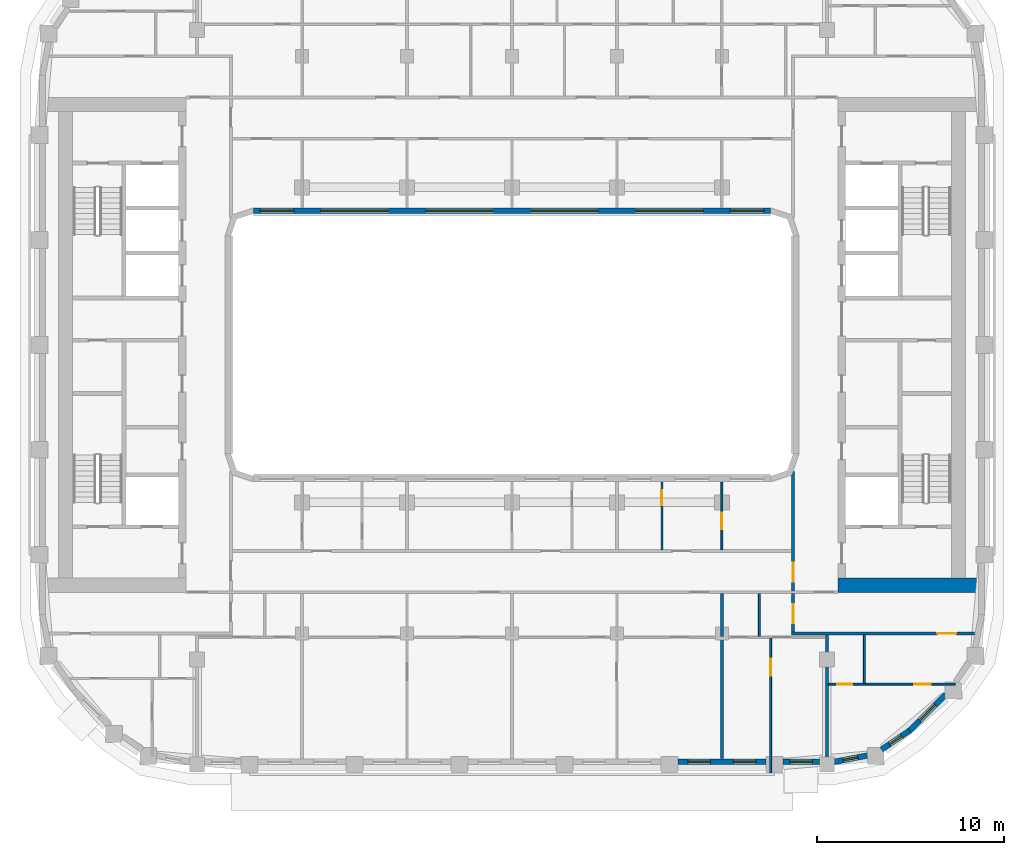
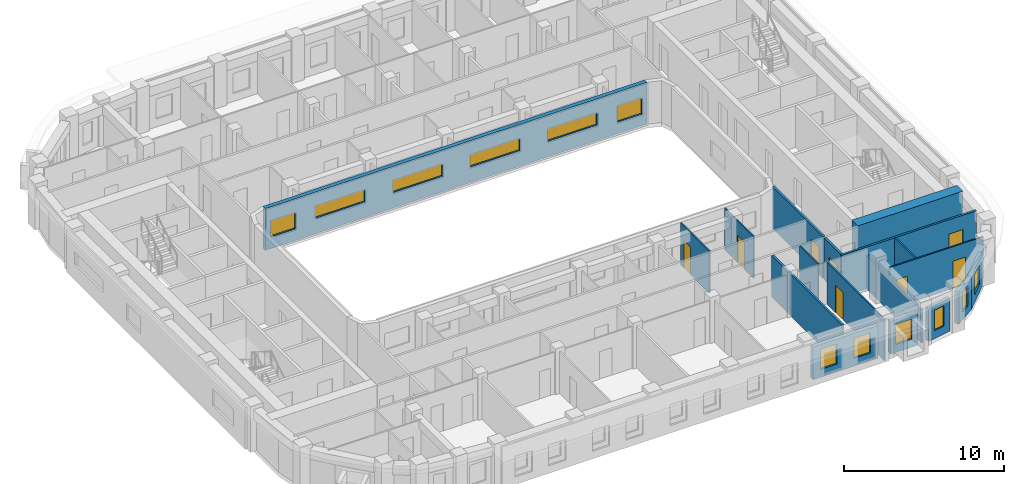
# One storey, part 5 of 21: 19 walls, 12 windows, 8 doors, 20 openings.
"""IFC4 building model written with IfcOpenShell, lengths in metres."""

from ifc_helpers import new_model, si_unit, direction, frame, frame_2d, origin, place, context, subcontext, project, spatial, rectangle, extrude, material, layer, layer_set, type_object, element, fill, save


model = new_model("IFC4")

# Units and contexts
model_context = context("Model", 3, precision=1e-05, world=origin(), true_north=direction((0.0, 1.0)))
body_context = subcontext(model_context, "Body", "Model", "MODEL_VIEW")
ifc_project = project(units=[si_unit("LENGTHUNIT", "METRE"), si_unit("AREAUNIT", "SQUARE_METRE"), si_unit("VOLUMEUNIT", "CUBIC_METRE"), si_unit("PLANEANGLEUNIT", "RADIAN"), si_unit("MASSUNIT", "GRAM", prefix="KILO")], contexts=[model_context])

# Site, building, storey
site_placement = place(None, origin())
site = spatial("IfcSite", under=ifc_project, at=site_placement, CompositionType="ELEMENT")
building_placement = place(site_placement, origin())
building = spatial("IfcBuilding", under=site, at=building_placement, Name="Kiln Ring Residences", CompositionType="ELEMENT")
storey_placement = place(building_placement, frame((0.0, 0.0, 192.39990234375)))
storey = spatial("IfcBuildingStorey", under=building, at=storey_placement, Name="L49", CompositionType="ELEMENT", Elevation=192.39990234375)

# Wall
ifc_material_1 = material(Name="Concrete C60/75", Category="concrete")
ifc_layer_1 = layer(ifc_material_1, 0.75)
ifc_layer_set_1 = layer_set([ifc_layer_1], Name="CORE-WALL-RC750")
wall_type_1 = type_object("IfcWallType", Name="CORE-WALL-RC750", PredefinedType="SHEAR", material=ifc_layer_set_1)
wall_1_placement = place(storey_placement, frame((17.39990234375, -12.824951171875, 0.0), z_axis=(0.0, 0.0, 1.0), x_axis=(1.0, 0.0, 0.0)))
element("IfcWall", 1, at=wall_1_placement, inside=storey, type_object=wall_type_1, Name="Core wall east L49 5", PredefinedType="SHEAR", context=body_context, shape_type="SweptSolid", body=[
    extrude(rectangle(XDim=7.60009765625, YDim=0.75, at=frame_2d((3.800048828125, 0.0))), origin(), (0.0, 0.0, 1.0), 3.2001953125),
])

# Wall, openings, windows
ifc_material_2 = material(Name="Brick masonry, dark clay brick", Category="masonry")
ifc_layer_2 = layer(ifc_material_2, 0.300048828125)
ifc_layer_set_2 = layer_set([ifc_layer_2], Name="EW-300 BRICK WALL")
wall_type_2 = type_object("IfcWallType", Name="EW-300 BRICK WALL", PredefinedType="SOLIDWALL", material=ifc_layer_set_2)
wall_2_placement = place(storey_placement, frame((8.85009765625, -22.25, 0.0), z_axis=(0.0, 0.0, 1.0), x_axis=(1.0, 0.0, 0.0)))
wall_2 = element("IfcWall", 2, at=wall_2_placement, inside=storey, type_object=wall_type_2, Name="Facade wall L49 9", PredefinedType="SOLIDWALL", context=body_context, shape_type="SweptSolid", body=[
    extrude(rectangle(XDim=4.699951171875, YDim=0.300048828125, at=frame_2d((2.35009765625, 0.0))), origin(), (0.0, 0.0, 1.0), 2.5),
])
opening_1_placement = place(wall_2_placement, frame((0.53759765625, 0.0, 0.60009765625)))
opening_1 = element("IfcOpeningElement", 3, at=opening_1_placement, cuts=wall_2, Name="Opening W1", PredefinedType="OPENING", context=body_context, shape_type="SweptSolid", body=[
    extrude(rectangle(XDim=1.199951171875, YDim=1.550048828125, at=frame_2d((0.60009765625, 0.77490234375))), frame((0.0, 0.159912109375, 0.0), z_axis=(0.0, -1.0, 0.0), x_axis=(1.0, 0.0, 0.0)), (0.0, 0.0, 1.0), 0.320068359375),
])
opening_2_placement = place(wall_2_placement, frame((2.96240234375, 0.0, 0.60009765625)))
opening_2 = element("IfcOpeningElement", 4, at=opening_2_placement, cuts=wall_2, Name="Opening W1", PredefinedType="OPENING", context=body_context, shape_type="SweptSolid", body=[
    extrude(rectangle(XDim=1.199951171875, YDim=1.550048828125, at=frame_2d((0.60009765625, 0.77490234375))), frame((0.0, 0.159912109375, 0.0), z_axis=(0.0, -1.0, 0.0), x_axis=(1.0, 0.0, 0.0)), (0.0, 0.0, 1.0), 0.320068359375),
])
ifc_material_3 = material(Name="Aluminium frame with double glazing", Category="aluminium")
window_type_1 = type_object("IfcWindowType", Name="WINDOW 1200 x 1550", PartitioningType="SINGLE_PANEL", PredefinedType="WINDOW", material=ifc_material_3)
window_1_placement = place(opening_1_placement, origin())
window_1 = element("IfcWindow", 5, at=window_1_placement, inside=storey, type_object=window_type_1, Name="Window L49 12", OverallHeight=1.550048828125, OverallWidth=1.199951171875, PartitioningType="SINGLE_PANEL", PredefinedType="WINDOW", context=body_context, shape_type="SweptSolid", body=[
    extrude(rectangle(XDim=1.199951171875, YDim=1.550048828125, at=frame_2d((0.60009765625, 0.77490234375))), frame((0.0, 0.030029296875, 0.0), z_axis=(0.0, -1.0, 0.0), x_axis=(1.0, 0.0, 0.0)), (0.0, 0.0, 1.0), 0.06005859375),
])
fill(opening_1, window_1)
window_2_placement = place(opening_2_placement, origin())
window_2 = element("IfcWindow", 6, at=window_2_placement, inside=storey, type_object=window_type_1, Name="Window L49 13", OverallHeight=1.550048828125, OverallWidth=1.199951171875, PartitioningType="SINGLE_PANEL", PredefinedType="WINDOW", context=body_context, shape_type="SweptSolid", body=[
    extrude(rectangle(XDim=1.199951171875, YDim=1.550048828125, at=frame_2d((0.60009765625, 0.77490234375))), frame((0.0, 0.030029296875, 0.0), z_axis=(0.0, -1.0, 0.0), x_axis=(1.0, 0.0, 0.0)), (0.0, 0.0, 1.0), 0.06005859375),
])
fill(opening_2, window_2)

# Wall, opening, window
wall_3_placement = place(storey_placement, frame((14.449951171875, -22.25, 0.0), z_axis=(0.0, 0.0, 1.0), x_axis=(1.0, 0.0, 0.0)))
wall_3 = element("IfcWall", 7, at=wall_3_placement, inside=storey, type_object=wall_type_2, Name="Facade wall L49 10", PredefinedType="SOLIDWALL", context=body_context, shape_type="SweptSolid", body=[
    extrude(rectangle(XDim=1.949951171875, YDim=0.300048828125, at=frame_2d((0.97509765625, 0.0))), origin(), (0.0, 0.0, 1.0), 2.5),
])
opening_3_placement = place(wall_3_placement, frame((0.375, 0.0, 0.60009765625)))
opening_3 = element("IfcOpeningElement", 8, at=opening_3_placement, cuts=wall_3, Name="Opening W1", PredefinedType="OPENING", context=body_context, shape_type="SweptSolid", body=[
    extrude(rectangle(XDim=1.199951171875, YDim=1.550048828125, at=frame_2d((0.60009765625, 0.77490234375))), frame((0.0, 0.159912109375, 0.0), z_axis=(0.0, -1.0, 0.0), x_axis=(1.0, 0.0, 0.0)), (0.0, 0.0, 1.0), 0.320068359375),
])
window_3_placement = place(opening_3_placement, origin())
window_3 = element("IfcWindow", 9, at=window_3_placement, inside=storey, type_object=window_type_1, Name="Window L49 14", OverallHeight=1.550048828125, OverallWidth=1.199951171875, PartitioningType="SINGLE_PANEL", PredefinedType="WINDOW", context=body_context, shape_type="SweptSolid", body=[
    extrude(rectangle(XDim=1.199951171875, YDim=1.550048828125, at=frame_2d((0.60009765625, 0.77490234375))), frame((0.0, 0.030029296875, 0.0), z_axis=(0.0, -1.0, 0.0), x_axis=(1.0, 0.0, 0.0)), (0.0, 0.0, 1.0), 0.06005859375),
])
fill(opening_3, window_3)

wall_4_placement = place(storey_placement, frame((17.178955078125, -22.251220703125, 0.0), z_axis=(0.0, 0.0, 1.0), x_axis=(0.98230529033, 0.187286722942, 0.0)))
wall_4 = element("IfcWall", 10, at=wall_4_placement, inside=storey, type_object=wall_type_2, Name="Facade wall L49 11", PredefinedType="SOLIDWALL", context=body_context, shape_type="SweptSolid", body=[
    extrude(rectangle(XDim=1.798828125, YDim=0.300048828125, at=frame_2d((0.8994140625, 0.0))), origin(), (0.0, 0.0, 1.0), 2.5),
])
opening_4_placement = place(wall_4_placement, frame((0.49951171875, 0.0, 0.60009765625)))
opening_4 = element("IfcOpeningElement", 11, at=opening_4_placement, cuts=wall_4, Name="Opening W5", PredefinedType="OPENING", context=body_context, shape_type="SweptSolid", body=[
    extrude(rectangle(XDim=0.800048828125, YDim=1.550048828125, at=frame_2d((0.39990234375, 0.77490234375))), frame((0.0, 0.159912109375, 0.0), z_axis=(0.0, -1.0, 0.0), x_axis=(1.0, 0.0, 0.0)), (0.0, 0.0, 1.0), 0.320068359375),
])
ifc_material_4 = material(Name="Aluminium frame with double glazing", Category="aluminium")
window_type_2 = type_object("IfcWindowType", Name="WINDOW 800 x 1550", PartitioningType="SINGLE_PANEL", PredefinedType="WINDOW", material=ifc_material_4)
window_4_placement = place(opening_4_placement, origin())
window_4 = element("IfcWindow", 12, at=window_4_placement, inside=storey, type_object=window_type_2, Name="Window L49 15", OverallHeight=1.550048828125, OverallWidth=0.800048828125, PartitioningType="SINGLE_PANEL", PredefinedType="WINDOW", context=body_context, shape_type="SweptSolid", body=[
    extrude(rectangle(XDim=0.800048828125, YDim=1.550048828125, at=frame_2d((0.39990234375, 0.77490234375))), frame((0.0, 0.030029296875, 0.0), z_axis=(0.0, -1.0, 0.0), x_axis=(1.0, 0.0, 0.0)), (0.0, 0.0, 1.0), 0.06005859375),
])
fill(opening_4, window_4)

wall_5_placement = place(storey_placement, frame((19.718994140625, -21.593994140625, 0.0), z_axis=(0.0, 0.0, 1.0), x_axis=(0.827067282455, 0.562102935673, 0.0)))
wall_5 = element("IfcWall", 13, at=wall_5_placement, inside=storey, type_object=wall_type_2, Name="Facade wall L49 12", PredefinedType="SOLIDWALL", context=body_context, shape_type="SweptSolid", body=[
    extrude(rectangle(XDim=1.805908203125, YDim=0.300048828125, at=frame_2d((0.90283203125, 0.0))), origin(), (0.0, 0.0, 1.0), 2.5),
])
opening_5_placement = place(wall_5_placement, frame((0.5029296875, 0.0, 0.60009765625)))
opening_5 = element("IfcOpeningElement", 14, at=opening_5_placement, cuts=wall_5, Name="Opening W5", PredefinedType="OPENING", context=body_context, shape_type="SweptSolid", body=[
    extrude(rectangle(XDim=0.800048828125, YDim=1.550048828125, at=frame_2d((0.39990234375, 0.77490234375))), frame((0.0, 0.159912109375, 0.0), z_axis=(0.0, -1.0, 0.0), x_axis=(1.0, 0.0, 0.0)), (0.0, 0.0, 1.0), 0.320068359375),
])
window_5_placement = place(opening_5_placement, origin())
window_5 = element("IfcWindow", 15, at=window_5_placement, inside=storey, type_object=window_type_2, Name="Window L49 16", OverallHeight=1.550048828125, OverallWidth=0.800048828125, PartitioningType="SINGLE_PANEL", PredefinedType="WINDOW", context=body_context, shape_type="SweptSolid", body=[
    extrude(rectangle(XDim=0.800048828125, YDim=1.550048828125, at=frame_2d((0.39990234375, 0.77490234375))), frame((0.0, 0.030029296875, 0.0), z_axis=(0.0, -1.0, 0.0), x_axis=(1.0, 0.0, 0.0)), (0.0, 0.0, 1.0), 0.06005859375),
])
fill(opening_5, window_5)

wall_6_placement = place(storey_placement, frame((21.19091796875, -20.596923828125, 0.0), z_axis=(0.0, 0.0, 1.0), x_axis=(0.707106781187, 0.707106781187, 0.0)))
wall_6 = element("IfcWall", 16, at=wall_6_placement, inside=storey, type_object=wall_type_2, Name="Facade wall L49 13", PredefinedType="SOLIDWALL", context=body_context, shape_type="SweptSolid", body=[
    extrude(rectangle(XDim=2.75, YDim=0.300048828125, at=frame_2d((1.375, 0.0))), origin(), (0.0, 0.0, 1.0), 2.5),
])
opening_6_placement = place(wall_6_placement, frame((0.77490234375, 0.0, 0.60009765625)))
opening_6 = element("IfcOpeningElement", 17, at=opening_6_placement, cuts=wall_6, Name="Opening W1", PredefinedType="OPENING", context=body_context, shape_type="SweptSolid", body=[
    extrude(rectangle(XDim=1.199951171875, YDim=1.550048828125, at=frame_2d((0.60009765625, 0.77490234375))), frame((0.0, 0.159912109375, 0.0), z_axis=(0.0, -1.0, 0.0), x_axis=(1.0, 0.0, 0.0)), (0.0, 0.0, 1.0), 0.320068359375),
])
window_6_placement = place(opening_6_placement, origin())
window_6 = element("IfcWindow", 18, at=window_6_placement, inside=storey, type_object=window_type_1, Name="Window L49 17", OverallHeight=1.550048828125, OverallWidth=1.199951171875, PartitioningType="SINGLE_PANEL", PredefinedType="WINDOW", context=body_context, shape_type="SweptSolid", body=[
    extrude(rectangle(XDim=1.199951171875, YDim=1.550048828125, at=frame_2d((0.60009765625, 0.77490234375))), frame((0.0, 0.030029296875, 0.0), z_axis=(0.0, -1.0, 0.0), x_axis=(1.0, 0.0, 0.0)), (0.0, 0.0, 1.0), 0.06005859375),
])
fill(opening_6, window_6)

# Wall, openings, windows
wall_7_placement = place(storey_placement, frame((-13.800048828125, 7.14990234375, 0.0), z_axis=(0.0, 0.0, 1.0), x_axis=(1.0, 0.0, 0.0)))
wall_7 = element("IfcWall", 19, at=wall_7_placement, inside=storey, type_object=wall_type_2, Name="Facade wall L49 48", PredefinedType="SOLIDWALL", context=body_context, shape_type="SweptSolid", body=[
    extrude(rectangle(XDim=27.60009765625, YDim=0.300048828125, at=frame_2d((13.800048828125, 0.0))), origin(), (0.0, 0.0, 1.0), 3.2001953125),
])
opening_7_placement = place(wall_7_placement, frame((0.362548828125, 0.0, 0.89990234375)))
opening_7 = element("IfcOpeningElement", 20, at=opening_7_placement, cuts=wall_7, Name="Opening W2", PredefinedType="OPENING", context=body_context, shape_type="SweptSolid", body=[
    extrude(rectangle(XDim=1.800048828125, YDim=1.25, at=frame_2d((0.89990234375, 0.625))), frame((0.0, 0.159912109375, 0.0), z_axis=(0.0, -1.0, 0.0), x_axis=(1.0, 0.0, 0.0)), (0.0, 0.0, 1.0), 0.320068359375),
])
opening_8_placement = place(wall_7_placement, frame((3.60009765625, 0.0, 1.199951171875)))
opening_8 = element("IfcOpeningElement", 21, at=opening_8_placement, cuts=wall_7, Name="Opening W4", PredefinedType="OPENING", context=body_context, shape_type="SweptSolid", body=[
    extrude(rectangle(XDim=3.60009765625, YDim=0.949951171875, at=frame_2d((1.800048828125, 0.47509765625))), frame((0.0, 0.159912109375, 0.0), z_axis=(0.0, -1.0, 0.0), x_axis=(1.0, 0.0, 0.0)), (0.0, 0.0, 1.0), 0.320068359375),
])
opening_9_placement = place(wall_7_placement, frame((9.199951171875, 0.0, 1.199951171875)))
opening_9 = element("IfcOpeningElement", 22, at=opening_9_placement, cuts=wall_7, Name="Opening W4", PredefinedType="OPENING", context=body_context, shape_type="SweptSolid", body=[
    extrude(rectangle(XDim=3.60009765625, YDim=0.949951171875, at=frame_2d((1.800048828125, 0.47509765625))), frame((0.0, 0.159912109375, 0.0), z_axis=(0.0, -1.0, 0.0), x_axis=(1.0, 0.0, 0.0)), (0.0, 0.0, 1.0), 0.320068359375),
])
opening_10_placement = place(wall_7_placement, frame((14.800048828125, 0.0, 1.199951171875)))
opening_10 = element("IfcOpeningElement", 23, at=opening_10_placement, cuts=wall_7, Name="Opening W4", PredefinedType="OPENING", context=body_context, shape_type="SweptSolid", body=[
    extrude(rectangle(XDim=3.60009765625, YDim=0.949951171875, at=frame_2d((1.800048828125, 0.47509765625))), frame((0.0, 0.159912109375, 0.0), z_axis=(0.0, -1.0, 0.0), x_axis=(1.0, 0.0, 0.0)), (0.0, 0.0, 1.0), 0.320068359375),
])
opening_11_placement = place(wall_7_placement, frame((20.39990234375, 0.0, 1.199951171875)))
opening_11 = element("IfcOpeningElement", 24, at=opening_11_placement, cuts=wall_7, Name="Opening W4", PredefinedType="OPENING", context=body_context, shape_type="SweptSolid", body=[
    extrude(rectangle(XDim=3.60009765625, YDim=0.949951171875, at=frame_2d((1.800048828125, 0.47509765625))), frame((0.0, 0.159912109375, 0.0), z_axis=(0.0, -1.0, 0.0), x_axis=(1.0, 0.0, 0.0)), (0.0, 0.0, 1.0), 0.320068359375),
])
opening_12_placement = place(wall_7_placement, frame((25.4375, 0.0, 0.89990234375)))
opening_12 = element("IfcOpeningElement", 25, at=opening_12_placement, cuts=wall_7, Name="Opening W2", PredefinedType="OPENING", context=body_context, shape_type="SweptSolid", body=[
    extrude(rectangle(XDim=1.800048828125, YDim=1.25, at=frame_2d((0.89990234375, 0.625))), frame((0.0, 0.159912109375, 0.0), z_axis=(0.0, -1.0, 0.0), x_axis=(1.0, 0.0, 0.0)), (0.0, 0.0, 1.0), 0.320068359375),
])
ifc_material_5 = material(Name="Aluminium frame with double glazing", Category="aluminium")
window_type_3 = type_object("IfcWindowType", Name="WINDOW 1800 x 1250", PartitioningType="SINGLE_PANEL", PredefinedType="WINDOW", material=ifc_material_5)
window_7_placement = place(opening_7_placement, origin())
window_7 = element("IfcWindow", 26, at=window_7_placement, inside=storey, type_object=window_type_3, Name="Window L49 35", OverallHeight=1.25, OverallWidth=1.800048828125, PartitioningType="SINGLE_PANEL", PredefinedType="WINDOW", context=body_context, shape_type="SweptSolid", body=[
    extrude(rectangle(XDim=1.800048828125, YDim=1.25, at=frame_2d((0.89990234375, 0.625))), frame((0.0, 0.030029296875, 0.0), z_axis=(0.0, -1.0, 0.0), x_axis=(1.0, 0.0, 0.0)), (0.0, 0.0, 1.0), 0.06005859375),
])
fill(opening_7, window_7)
window_8_placement = place(opening_12_placement, origin())
window_8 = element("IfcWindow", 27, at=window_8_placement, inside=storey, type_object=window_type_3, Name="Window L49 40", OverallHeight=1.25, OverallWidth=1.800048828125, PartitioningType="SINGLE_PANEL", PredefinedType="WINDOW", context=body_context, shape_type="SweptSolid", body=[
    extrude(rectangle(XDim=1.800048828125, YDim=1.25, at=frame_2d((0.89990234375, 0.625))), frame((0.0, 0.030029296875, 0.0), z_axis=(0.0, -1.0, 0.0), x_axis=(1.0, 0.0, 0.0)), (0.0, 0.0, 1.0), 0.06005859375),
])
fill(opening_12, window_8)
ifc_material_6 = material(Name="Aluminium frame with double glazing", Category="aluminium")
window_type_4 = type_object("IfcWindowType", Name="WINDOW 3600 x 950", PartitioningType="SINGLE_PANEL", PredefinedType="WINDOW", material=ifc_material_6)
window_9_placement = place(opening_8_placement, origin())
window_9 = element("IfcWindow", 28, at=window_9_placement, inside=storey, type_object=window_type_4, Name="Window L49 36", OverallHeight=0.949951171875, OverallWidth=3.60009765625, PartitioningType="SINGLE_PANEL", PredefinedType="WINDOW", context=body_context, shape_type="SweptSolid", body=[
    extrude(rectangle(XDim=3.60009765625, YDim=0.949951171875, at=frame_2d((1.800048828125, 0.47509765625))), frame((0.0, 0.030029296875, 0.0), z_axis=(0.0, -1.0, 0.0), x_axis=(1.0, 0.0, 0.0)), (0.0, 0.0, 1.0), 0.06005859375),
])
fill(opening_8, window_9)
window_10_placement = place(opening_9_placement, origin())
window_10 = element("IfcWindow", 29, at=window_10_placement, inside=storey, type_object=window_type_4, Name="Window L49 37", OverallHeight=0.949951171875, OverallWidth=3.60009765625, PartitioningType="SINGLE_PANEL", PredefinedType="WINDOW", context=body_context, shape_type="SweptSolid", body=[
    extrude(rectangle(XDim=3.60009765625, YDim=0.949951171875, at=frame_2d((1.800048828125, 0.47509765625))), frame((0.0, 0.030029296875, 0.0), z_axis=(0.0, -1.0, 0.0), x_axis=(1.0, 0.0, 0.0)), (0.0, 0.0, 1.0), 0.06005859375),
])
fill(opening_9, window_10)
window_11_placement = place(opening_10_placement, origin())
window_11 = element("IfcWindow", 30, at=window_11_placement, inside=storey, type_object=window_type_4, Name="Window L49 38", OverallHeight=0.949951171875, OverallWidth=3.60009765625, PartitioningType="SINGLE_PANEL", PredefinedType="WINDOW", context=body_context, shape_type="SweptSolid", body=[
    extrude(rectangle(XDim=3.60009765625, YDim=0.949951171875, at=frame_2d((1.800048828125, 0.47509765625))), frame((0.0, 0.030029296875, 0.0), z_axis=(0.0, -1.0, 0.0), x_axis=(1.0, 0.0, 0.0)), (0.0, 0.0, 1.0), 0.06005859375),
])
fill(opening_10, window_11)
window_12_placement = place(opening_11_placement, origin())
window_12 = element("IfcWindow", 31, at=window_12_placement, inside=storey, type_object=window_type_4, Name="Window L49 39", OverallHeight=0.949951171875, OverallWidth=3.60009765625, PartitioningType="SINGLE_PANEL", PredefinedType="WINDOW", context=body_context, shape_type="SweptSolid", body=[
    extrude(rectangle(XDim=3.60009765625, YDim=0.949951171875, at=frame_2d((1.800048828125, 0.47509765625))), frame((0.0, 0.030029296875, 0.0), z_axis=(0.0, -1.0, 0.0), x_axis=(1.0, 0.0, 0.0)), (0.0, 0.0, 1.0), 0.06005859375),
])
fill(opening_11, window_12)

# Wall, openings, doors
ifc_material_7 = material(Name="Gypsum board on steel studs", Category="steel")
ifc_layer_3 = layer(ifc_material_7, 0.10009765625)
ifc_layer_set_3 = layer_set([ifc_layer_3], Name="PARTITION-100")
wall_type_3 = type_object("IfcWallType", Name="PARTITION-100", PredefinedType="PARTITIONING", material=ifc_layer_set_3)
wall_8_placement = place(storey_placement, frame((16.875, -18.10009765625, 0.0), z_axis=(0.0, 0.0, 1.0), x_axis=(1.0, 0.0, 0.0)))
wall_8 = element("IfcWall", 32, at=wall_8_placement, inside=storey, type_object=wall_type_3, Name="Partition 000", PredefinedType="PARTITIONING", context=body_context, shape_type="SweptSolid", body=[
    extrude(rectangle(XDim=6.764892578125, YDim=0.10009765625, at=frame_2d((3.38232421875, 0.0))), origin(), (0.0, 0.0, 1.0), 3.2001953125),
])
opening_13_placement = place(wall_8_placement, frame((0.47509765625, 0.0, 0.0)))
opening_13 = element("IfcOpeningElement", 33, at=opening_13_placement, cuts=wall_8, Name="Opening L49-D063", PredefinedType="OPENING", context=body_context, shape_type="SweptSolid", body=[
    extrude(rectangle(XDim=0.800048828125, YDim=2.10009765625, at=frame_2d((0.39990234375, 1.050048828125))), frame((0.0, 0.06005859375, 0.0), z_axis=(0.0, -1.0, 0.0), x_axis=(1.0, 0.0, 0.0)), (0.0, 0.0, 1.0), 0.1201171875),
])
opening_14_placement = place(wall_8_placement, frame((4.574951171875, 0.0, 0.0)))
opening_14 = element("IfcOpeningElement", 34, at=opening_14_placement, cuts=wall_8, Name="Opening L49-D064", PredefinedType="OPENING", context=body_context, shape_type="SweptSolid", body=[
    extrude(rectangle(XDim=0.89990234375, YDim=2.10009765625, at=frame_2d((0.449951171875, 1.050048828125))), frame((0.0, 0.06005859375, 0.0), z_axis=(0.0, -1.0, 0.0), x_axis=(1.0, 0.0, 0.0)), (0.0, 0.0, 1.0), 0.1201171875),
])
ifc_material_8 = material(Name="Timber door leaf", Category="wood")
door_type_1 = type_object("IfcDoorType", Name="FLAT-DOOR-800-PL", OperationType="SINGLE_SWING_LEFT", PredefinedType="DOOR", material=ifc_material_8)
door_1_placement = place(opening_13_placement, origin())
door_1 = element("IfcDoor", 35, at=door_1_placement, inside=storey, type_object=door_type_1, Name="Door L49-D063", OperationType="SINGLE_SWING_LEFT", OverallHeight=2.10009765625, OverallWidth=0.800048828125, PredefinedType="DOOR", context=body_context, shape_type="SweptSolid", body=[
    extrude(rectangle(XDim=0.800048828125, YDim=2.10009765625, at=frame_2d((0.39990234375, 1.050048828125))), frame((0.0, 0.02490234375, 0.0), z_axis=(0.0, -1.0, 0.0), x_axis=(1.0, 0.0, 0.0)), (0.0, 0.0, 1.0), 0.050048828125),
])
fill(opening_13, door_1)
ifc_material_9 = material(Name="Timber door leaf", Category="wood")
door_type_2 = type_object("IfcDoorType", Name="FLAT-DOOR-900-PL", OperationType="SINGLE_SWING_LEFT", PredefinedType="DOOR", material=ifc_material_9)
door_2_placement = place(opening_14_placement, origin())
door_2 = element("IfcDoor", 36, at=door_2_placement, inside=storey, type_object=door_type_2, Name="Door L49-D064", OperationType="SINGLE_SWING_RIGHT", OverallHeight=2.10009765625, OverallWidth=0.89990234375, PredefinedType="DOOR", context=body_context, shape_type="SweptSolid", body=[
    extrude(rectangle(XDim=0.89990234375, YDim=2.10009765625, at=frame_2d((0.449951171875, 1.050048828125))), frame((0.0, 0.02490234375, 0.0), z_axis=(0.0, -1.0, 0.0), x_axis=(1.0, 0.0, 0.0)), (0.0, 0.0, 1.0), 0.050048828125),
])
fill(opening_14, door_2)

# Wall, opening, door
wall_9_placement = place(storey_placement, frame((8.0, -10.925048828125, 0.0), z_axis=(0.0, 0.0, 1.0), x_axis=(0.0, 1.0, 0.0)))
wall_9 = element("IfcWall", 37, at=wall_9_placement, inside=storey, type_object=wall_type_3, Name="Partition 053", PredefinedType="PARTITIONING", context=body_context, shape_type="SweptSolid", body=[
    extrude(rectangle(XDim=3.60498046875, YDim=0.10009765625, at=frame_2d((1.802490234375, 0.0))), origin(), (0.0, 0.0, 1.0), 3.2001953125),
])
opening_15_placement = place(wall_9_placement, frame((2.35498046875, 0.0, 0.0)))
opening_15 = element("IfcOpeningElement", 38, at=opening_15_placement, cuts=wall_9, Name="Opening L49-D045", PredefinedType="OPENING", context=body_context, shape_type="SweptSolid", body=[
    extrude(rectangle(XDim=0.800048828125, YDim=2.10009765625, at=frame_2d((0.39990234375, 1.050048828125))), frame((0.0, 0.06005859375, 0.0), z_axis=(0.0, -1.0, 0.0), x_axis=(1.0, 0.0, 0.0)), (0.0, 0.0, 1.0), 0.1201171875),
])
door_3_placement = place(opening_15_placement, origin())
door_3 = element("IfcDoor", 39, at=door_3_placement, inside=storey, type_object=door_type_1, Name="Door L49-D045", OperationType="SINGLE_SWING_LEFT", OverallHeight=2.10009765625, OverallWidth=0.800048828125, PredefinedType="DOOR", context=body_context, shape_type="SweptSolid", body=[
    extrude(rectangle(XDim=0.800048828125, YDim=2.10009765625, at=frame_2d((0.39990234375, 1.050048828125))), frame((0.0, 0.02490234375, 0.0), z_axis=(0.0, -1.0, 0.0), x_axis=(1.0, 0.0, 0.0)), (0.0, 0.0, 1.0), 0.050048828125),
])
fill(opening_15, door_3)

wall_10_placement = place(storey_placement, frame((11.199951171875, -10.925048828125, 0.0), z_axis=(0.0, 0.0, 1.0), x_axis=(0.0, 1.0, 0.0)))
wall_10 = element("IfcWall", 40, at=wall_10_placement, inside=storey, type_object=wall_type_3, Name="Partition 055", PredefinedType="PARTITIONING", context=body_context, shape_type="SweptSolid", body=[
    extrude(rectangle(XDim=3.60498046875, YDim=0.10009765625, at=frame_2d((1.802490234375, 0.0))), origin(), (0.0, 0.0, 1.0), 3.2001953125),
])
opening_16_placement = place(wall_10_placement, frame((1.075927734375, 0.0, 0.0)))
opening_16 = element("IfcOpeningElement", 41, at=opening_16_placement, cuts=wall_10, Name="Opening L49-D046", PredefinedType="OPENING", context=body_context, shape_type="SweptSolid", body=[
    extrude(rectangle(XDim=0.89990234375, YDim=2.10009765625, at=frame_2d((0.449951171875, 1.050048828125))), frame((0.0, 0.06005859375, 0.0), z_axis=(0.0, -1.0, 0.0), x_axis=(1.0, 0.0, 0.0)), (0.0, 0.0, 1.0), 0.1201171875),
])
door_4_placement = place(opening_16_placement, origin())
door_4 = element("IfcDoor", 42, at=door_4_placement, inside=storey, type_object=door_type_2, Name="Door L49-D046", OperationType="SINGLE_SWING_LEFT", OverallHeight=2.10009765625, OverallWidth=0.89990234375, PredefinedType="DOOR", context=body_context, shape_type="SweptSolid", body=[
    extrude(rectangle(XDim=0.89990234375, YDim=2.10009765625, at=frame_2d((0.449951171875, 1.050048828125))), frame((0.0, 0.02490234375, 0.0), z_axis=(0.0, -1.0, 0.0), x_axis=(1.0, 0.0, 0.0)), (0.0, 0.0, 1.0), 0.050048828125),
])
fill(opening_16, door_4)

# Wall
wall_11_placement = place(storey_placement, frame((13.199951171875, -15.550048828125, 0.0), z_axis=(0.0, 0.0, 1.0), x_axis=(0.0, 1.0, 0.0)))
element("IfcWall", 43, at=wall_11_placement, inside=storey, type_object=wall_type_3, Name="Partition 061", PredefinedType="PARTITIONING", context=body_context, shape_type="SweptSolid", body=[
    extrude(rectangle(XDim=2.275146484375, YDim=0.10009765625, at=frame_2d((1.1376953125, 0.0))), origin(), (0.0, 0.0, 1.0), 3.2001953125),
])

# Wall, opening, door
wall_12_placement = place(storey_placement, frame((13.800048828125, -22.830078125, 0.0), z_axis=(0.0, 0.0, 1.0), x_axis=(0.0, 1.0, 0.0)))
wall_12 = element("IfcWall", 44, at=wall_12_placement, inside=storey, type_object=wall_type_3, Name="Partition 062", PredefinedType="PARTITIONING", context=body_context, shape_type="SweptSolid", body=[
    extrude(rectangle(XDim=7.18017578125, YDim=0.10009765625, at=frame_2d((3.590087890625, 0.0))), origin(), (0.0, 0.0, 1.0), 3.2001953125),
])
opening_17_placement = place(wall_12_placement, frame((5.179931640625, 0.0, 0.0)))
opening_17 = element("IfcOpeningElement", 45, at=opening_17_placement, cuts=wall_12, Name="Opening L49-D061", PredefinedType="OPENING", context=body_context, shape_type="SweptSolid", body=[
    extrude(rectangle(XDim=0.89990234375, YDim=2.10009765625, at=frame_2d((0.449951171875, 1.050048828125))), frame((0.0, 0.06005859375, 0.0), z_axis=(0.0, -1.0, 0.0), x_axis=(1.0, 0.0, 0.0)), (0.0, 0.0, 1.0), 0.1201171875),
])
door_5_placement = place(opening_17_placement, origin())
door_5 = element("IfcDoor", 46, at=door_5_placement, inside=storey, type_object=door_type_2, Name="Door L49-D061", OperationType="SINGLE_SWING_LEFT", OverallHeight=2.10009765625, OverallWidth=0.89990234375, PredefinedType="DOOR", context=body_context, shape_type="SweptSolid", body=[
    extrude(rectangle(XDim=0.89990234375, YDim=2.10009765625, at=frame_2d((0.449951171875, 1.050048828125))), frame((0.0, 0.02490234375, 0.0), z_axis=(0.0, -1.0, 0.0), x_axis=(1.0, 0.0, 0.0)), (0.0, 0.0, 1.0), 0.050048828125),
])
fill(opening_17, door_5)

# Wall
wall_13_placement = place(storey_placement, frame((18.800048828125, -18.050048828125, 0.0), z_axis=(0.0, 0.0, 1.0), x_axis=(0.0, 1.0, 0.0)))
element("IfcWall", 47, at=wall_13_placement, inside=storey, type_object=wall_type_3, Name="Partition 070", PredefinedType="PARTITIONING", context=body_context, shape_type="SweptSolid", body=[
    extrude(rectangle(XDim=2.574951171875, YDim=0.10009765625, at=frame_2d((1.28759765625, 0.0))), origin(), (0.0, 0.0, 1.0), 3.2001953125),
])

# Wall, opening, door
ifc_material_10 = material(Name="Brick masonry partition", Category="masonry")
ifc_layer_4 = layer(ifc_material_10, 0.14990234375)
ifc_layer_set_4 = layer_set([ifc_layer_4], Name="PARTITION-150-ei60")
wall_type_4 = type_object("IfcWallType", Name="PARTITION-150-ei60", PredefinedType="PARTITIONING", material=ifc_layer_set_4)
wall_14_placement = place(storey_placement, frame((14.925048828125, -15.39990234375, 0.0), z_axis=(0.0, 0.0, 1.0), x_axis=(1.0, 0.0, 0.0)))
wall_14 = element("IfcWall", 48, at=wall_14_placement, inside=storey, type_object=wall_type_4, Name="Partition 004", PredefinedType="PARTITIONING", context=body_context, shape_type="SweptSolid", body=[
    extrude(rectangle(XDim=9.7587890625, YDim=0.14990234375, at=frame_2d((4.87939453125, 0.0))), origin(), (0.0, 0.0, 1.0), 3.2001953125),
])
opening_18_placement = place(wall_14_placement, frame((7.77490234375, 0.0, 0.0)))
opening_18 = element("IfcOpeningElement", 49, at=opening_18_placement, cuts=wall_14, Name="Opening L49-D062", PredefinedType="OPENING", context=body_context, shape_type="SweptSolid", body=[
    extrude(rectangle(XDim=1.0, YDim=2.10009765625, at=frame_2d((0.5, 1.050048828125))), frame((0.0, 0.0849609375, 0.0), z_axis=(0.0, -1.0, 0.0), x_axis=(1.0, 0.0, 0.0)), (0.0, 0.0, 1.0), 0.169921875),
])
ifc_material_11 = material(Name="Steel faced fire door leaf", Category="steel")
door_type_3 = type_object("IfcDoorType", Name="FLAT-DOOR-1000-FR", OperationType="SINGLE_SWING_LEFT", PredefinedType="DOOR", material=ifc_material_11)
door_6_placement = place(opening_18_placement, origin())
door_6 = element("IfcDoor", 50, at=door_6_placement, inside=storey, type_object=door_type_3, Name="Door L49-D062", OperationType="SINGLE_SWING_RIGHT", OverallHeight=2.10009765625, OverallWidth=1.0, PredefinedType="DOOR", context=body_context, shape_type="SweptSolid", body=[
    extrude(rectangle(XDim=1.0, YDim=2.10009765625, at=frame_2d((0.5, 1.050048828125))), frame((0.0, 0.02490234375, 0.0), z_axis=(0.0, -1.0, 0.0), x_axis=(1.0, 0.0, 0.0)), (0.0, 0.0, 1.0), 0.050048828125),
])
fill(opening_18, door_6)

# Walls
wall_15_placement = place(storey_placement, frame((11.199951171875, -22.080078125, 0.0), z_axis=(0.0, 0.0, 1.0), x_axis=(0.0, 1.0, 0.0)))
element("IfcWall", 51, at=wall_15_placement, inside=storey, type_object=wall_type_4, Name="Partition 059", PredefinedType="PARTITIONING", context=body_context, shape_type="SweptSolid", body=[
    extrude(rectangle(XDim=6.43017578125, YDim=0.14990234375, at=frame_2d((3.215087890625, 0.0))), origin(), (0.0, 0.0, 1.0), 3.2001953125),
])
wall_16_placement = place(storey_placement, frame((11.199951171875, -15.550048828125, 0.0), z_axis=(0.0, 0.0, 1.0), x_axis=(0.0, 1.0, 0.0)))
element("IfcWall", 52, at=wall_16_placement, inside=storey, type_object=wall_type_4, Name="Partition 060", PredefinedType="PARTITIONING", context=body_context, shape_type="SweptSolid", body=[
    extrude(rectangle(XDim=2.275146484375, YDim=0.14990234375, at=frame_2d((1.1376953125, 0.0))), origin(), (0.0, 0.0, 1.0), 3.2001953125),
])

# Wall, opening, door
wall_17_placement = place(storey_placement, frame((15.0, -15.324951171875, 0.0), z_axis=(0.0, 0.0, 1.0), x_axis=(0.0, 1.0, 0.0)))
wall_17 = element("IfcWall", 53, at=wall_17_placement, inside=storey, type_object=wall_type_4, Name="Partition 064", PredefinedType="PARTITIONING", context=body_context, shape_type="SweptSolid", body=[
    extrude(rectangle(XDim=2.050048828125, YDim=0.14990234375, at=frame_2d((1.02490234375, 0.0))), origin(), (0.0, 0.0, 1.0), 3.2001953125),
])
opening_19_placement = place(wall_17_placement, frame((0.47412109375, 0.0, 0.0)))
opening_19 = element("IfcOpeningElement", 54, at=opening_19_placement, cuts=wall_17, Name="Opening L49-D058", PredefinedType="OPENING", context=body_context, shape_type="SweptSolid", body=[
    extrude(rectangle(XDim=1.0, YDim=2.10009765625, at=frame_2d((0.5, 1.050048828125))), frame((0.0, 0.0849609375, 0.0), z_axis=(0.0, -1.0, 0.0), x_axis=(1.0, 0.0, 0.0)), (0.0, 0.0, 1.0), 0.169921875),
])
door_7_placement = place(opening_19_placement, origin())
door_7 = element("IfcDoor", 55, at=door_7_placement, inside=storey, type_object=door_type_3, Name="Door L49-D058", OperationType="SINGLE_SWING_RIGHT", OverallHeight=2.10009765625, OverallWidth=1.0, PredefinedType="DOOR", context=body_context, shape_type="SweptSolid", body=[
    extrude(rectangle(XDim=1.0, YDim=2.10009765625, at=frame_2d((0.5, 1.050048828125))), frame((0.0, 0.02490234375, 0.0), z_axis=(0.0, -1.0, 0.0), x_axis=(1.0, 0.0, 0.0)), (0.0, 0.0, 1.0), 0.050048828125),
])
fill(opening_19, door_7)

wall_18_placement = place(storey_placement, frame((15.0, -13.125, 0.0), z_axis=(0.0, 0.0, 1.0), x_axis=(0.0, 1.0, 0.0)))
wall_18 = element("IfcWall", 56, at=wall_18_placement, inside=storey, type_object=wall_type_4, Name="Partition 065", PredefinedType="PARTITIONING", context=body_context, shape_type="SweptSolid", body=[
    extrude(rectangle(XDim=6.356201171875, YDim=0.14990234375, at=frame_2d((3.17822265625, 0.0))), origin(), (0.0, 0.0, 1.0), 3.2001953125),
])
opening_20_placement = place(wall_18_placement, frame((0.49609375, 0.0, 0.0)))
opening_20 = element("IfcOpeningElement", 57, at=opening_20_placement, cuts=wall_18, Name="Opening L49-D006", PredefinedType="OPENING", context=body_context, shape_type="SweptSolid", body=[
    extrude(rectangle(XDim=1.0, YDim=2.10009765625, at=frame_2d((0.5, 1.050048828125))), frame((0.0, 0.0849609375, 0.0), z_axis=(0.0, -1.0, 0.0), x_axis=(1.0, 0.0, 0.0)), (0.0, 0.0, 1.0), 0.169921875),
])
door_8_placement = place(opening_20_placement, origin())
door_8 = element("IfcDoor", 58, at=door_8_placement, inside=storey, type_object=door_type_3, Name="Door L49-D006", OperationType="SINGLE_SWING_LEFT", OverallHeight=2.10009765625, OverallWidth=1.0, PredefinedType="DOOR", context=body_context, shape_type="SweptSolid", body=[
    extrude(rectangle(XDim=1.0, YDim=2.10009765625, at=frame_2d((0.5, 1.050048828125))), frame((0.0, 0.02490234375, 0.0), z_axis=(0.0, -1.0, 0.0), x_axis=(1.0, 0.0, 0.0)), (0.0, 0.0, 1.0), 0.050048828125),
])
fill(opening_20, door_8)

# Wall
wall_19_placement = place(storey_placement, frame((16.800048828125, -22.31005859375, 0.0), z_axis=(0.0, 0.0, 1.0), x_axis=(0.0, 1.0, 0.0)))
element("IfcWall", 59, at=wall_19_placement, inside=storey, type_object=wall_type_4, Name="Partition 068", PredefinedType="PARTITIONING", context=body_context, shape_type="SweptSolid", body=[
    extrude(rectangle(XDim=6.8349609375, YDim=0.14990234375, at=frame_2d((3.41748046875, 0.0))), origin(), (0.0, 0.0, 1.0), 2.550048828125),
])

save(model, "model.ifc")
